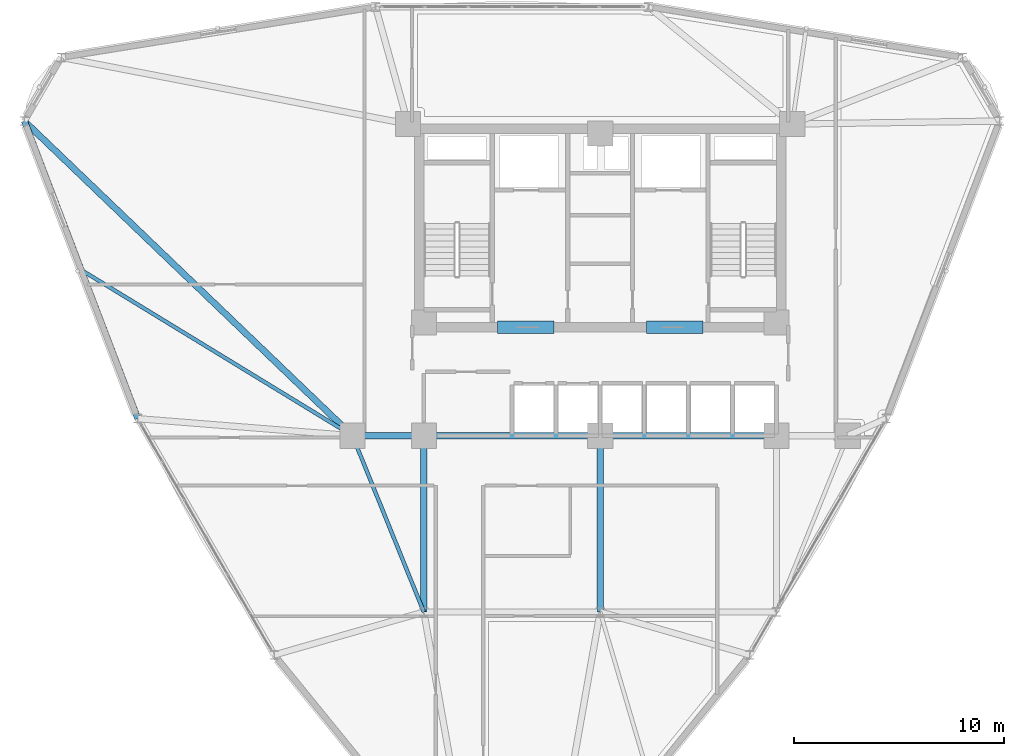
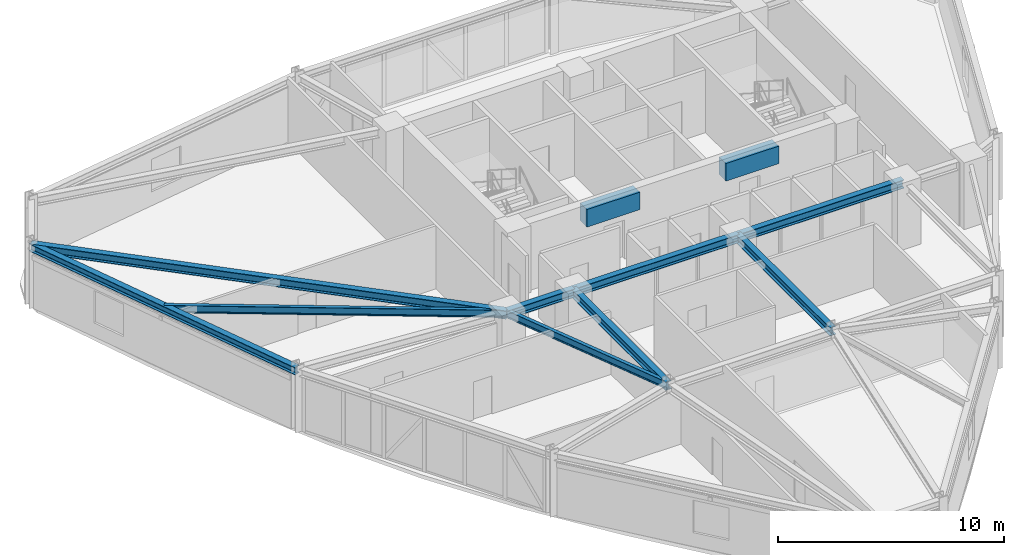
# One storey, part 5 of 15: 11 beams.
"""IFC4 building model written with IfcOpenShell, lengths in metres."""

from ifc_helpers import new_model, si_unit, derived_unit, direction, frame, origin, origin_2d, place, context, subcontext, project, spatial, rectangle, i_section, extrude, source, transform, mapped, material, material_profile, profile_set, type_object, element, save


model = new_model("IFC4")

# Units and contexts
model_context = context("Model", 3, precision=1e-05, world=origin(), true_north=direction((0.0, 1.0)))
body_context = subcontext(model_context, "Body", "Model", "MODEL_VIEW")
ifc_project = project(units=[si_unit("LENGTHUNIT", "METRE"), si_unit("AREAUNIT", "SQUARE_METRE"), si_unit("VOLUMEUNIT", "CUBIC_METRE"), si_unit("PLANEANGLEUNIT", "RADIAN"), si_unit("MASSUNIT", "GRAM", prefix="KILO"), derived_unit("THERMALTRANSMITTANCEUNIT", [(si_unit("POWERUNIT", "WATT"), 1), (si_unit("LENGTHUNIT", "METRE"), -2), (si_unit("THERMODYNAMICTEMPERATUREUNIT", "KELVIN"), -1)])], contexts=[model_context])

# Site, building, storey
site_placement = place(None, origin())
site = spatial("IfcSite", under=ifc_project, at=site_placement, CompositionType="ELEMENT")
building_placement = place(site_placement, origin())
building = spatial("IfcBuilding", under=site, at=building_placement, Name="Korsvarv Bourse and Concert Hall", CompositionType="ELEMENT")
storey_placement = place(building_placement, frame((0.0, 0.0, 147.0)))
storey = spatial("IfcBuildingStorey", under=building, at=storey_placement, Name="L37", CompositionType="ELEMENT", Elevation=147.0)

# Beams
ifc_material_1 = material(Name="Concrete C55/67", Category="concrete")
ifc_material_profile_1 = material_profile(ifc_material_1, rectangle(XDim=0.60009765625, YDim=0.949951171875, at=origin_2d()), Name="RC-BM 600x950")
ifc_profile_set_1 = profile_set([ifc_material_profile_1], Name="Concrete C55/67")
beam_type_1 = type_object("IfcBeamType", Name="BM-CPL", PredefinedType="LINTEL", material=ifc_profile_set_1)
shared_shape_1 = source(origin(), body_context, "Body", "SweptSolid", [
    extrude(rectangle(XDim=0.60009765625, YDim=0.949951171875, at=origin_2d()), origin(), (0.0, 0.0, 1.0), 2.699951171875),
])
for number, where, z_axis, x_axis, name in (
    (1, (31.10009765625, 37.574951171875, 2.925048828125), (1.0, 0.0, 0.0), (0.0, 1.0, 0.0), "L37 Core Coupling Beam West"),
    (2, (38.199951171875, 37.574951171875, 2.925048828125), (1.0, 0.0, 0.0), (0.0, 1.0, 0.0), "L37 Core Coupling Beam East"),
):
    element("IfcBeam", number, at=place(storey_placement, frame(where, z_axis=z_axis, x_axis=x_axis)), inside=storey, type_object=beam_type_1, Name=name, PredefinedType="LINTEL", context=body_context, shape_type="MappedRepresentation", body=[
        mapped(shared_shape_1, transform((0.0, 0.0, 0.0), scale=1.0)),
    ])
ifc_material_2 = material(Name="Steel S355", Category="steel")
ifc_material_profile_2 = material_profile(ifc_material_2, i_section(OverallWidth=0.179931640625, OverallDepth=0.39990234375, WebThickness=0.008544921875, FlangeThickness=0.013427734375, FilletRadius=0.02099609375, at=origin_2d()), Name="IPE 400")
ifc_profile_set_2 = profile_set([ifc_material_profile_2], Name="Steel S355")
beam_type_2 = type_object("IfcBeamType", Name="BM-IPE400", PredefinedType="JOIST", material=ifc_profile_set_2)
shared_shape_2 = source(origin(), body_context, "Body", "SweptSolid", [
    extrude(i_section(OverallWidth=0.179931640625, OverallDepth=0.39990234375, WebThickness=0.008544921875, FlangeThickness=0.013427734375, FilletRadius=0.02099609375, at=origin_2d()), origin(), (0.0, 0.0, 1.0), 9.06201171875),
])
beam_1_placement = place(storey_placement, frame((24.199951171875, 32.39990234375, 3.199951171875), z_axis=(0.375210394783, -0.926939674222, 0.0), x_axis=(0.926939674222, 0.375210394783, 0.0)))
element("IfcBeam", 3, at=beam_1_placement, inside=storey, type_object=beam_type_2, Name="L37 beam J-05", PredefinedType="JOIST", context=body_context, shape_type="MappedRepresentation", body=[
    mapped(shared_shape_2, transform((0.0, 0.0, 0.0), scale=1.0)),
])
ifc_material_profile_3 = material_profile(ifc_material_2, i_section(OverallWidth=0.300048828125, OverallDepth=0.449951171875, WebThickness=0.013916015625, FlangeThickness=0.02587890625, FilletRadius=0.02099609375, at=origin_2d()), Name="HEB 450")
ifc_profile_set_3 = profile_set([ifc_material_profile_3], Name="Steel S355")
beam_type_3 = type_object("IfcBeamType", Name="BM-HEB450", PredefinedType="SPANDREL", material=ifc_profile_set_3)
shared_shape_3 = source(origin(), body_context, "Body", "SweptSolid", [
    extrude(i_section(OverallWidth=0.300048828125, OverallDepth=0.449951171875, WebThickness=0.013916015625, FlangeThickness=0.02587890625, FilletRadius=0.02099609375, at=origin_2d()), origin(), (0.0, 0.0, 1.0), 3.400146484375),
])
beam_2_placement = place(storey_placement, frame((24.199951171875, 32.39990234375, 3.175048828125), z_axis=(1.0, 0.0, 0.0), x_axis=(0.0, 1.0, 0.0)))
element("IfcBeam", 4, at=beam_2_placement, inside=storey, type_object=beam_type_3, Name="L37 beam B-08", PredefinedType="SPANDREL", context=body_context, shape_type="MappedRepresentation", body=[
    mapped(shared_shape_3, transform((0.0, 0.0, 0.0), scale=1.0)),
])
shared_shape_4 = source(origin(), body_context, "Body", "SweptSolid", [
    extrude(i_section(OverallWidth=0.300048828125, OverallDepth=0.449951171875, WebThickness=0.013916015625, FlangeThickness=0.02587890625, FilletRadius=0.02099609375, at=origin_2d()), origin(), (0.0, 0.0, 1.0), 8.39990234375),
])
for number, where, z_axis, x_axis, name in (
    (5, (27.60009765625, 32.39990234375, 3.175048828125), (1.0, 0.0, 0.0), (0.0, 1.0, 0.0), "L37 beam B-08"),
    (6, (36.0, 32.39990234375, 3.175048828125), (1.0, 0.0, 0.0), (0.0, 1.0, 0.0), "L37 beam B-08"),
    (7, (27.60009765625, 24.0, 3.175048828125), (0.0, 1.0, 0.0), (-1.0, 0.0, 0.0), "L37 beam B-08"),
    (8, (36.0, 24.0, 3.175048828125), (0.0, 1.0, 0.0), (-1.0, 0.0, 0.0), "L37 beam B-08"),
):
    element("IfcBeam", number, at=place(storey_placement, frame(where, z_axis=z_axis, x_axis=x_axis)), inside=storey, type_object=beam_type_3, Name=name, PredefinedType="SPANDREL", context=body_context, shape_type="MappedRepresentation", body=[
        mapped(shared_shape_4, transform((0.0, 0.0, 0.0), scale=1.0)),
    ])
ifc_material_profile_4 = material_profile(ifc_material_2, i_section(OverallWidth=0.300048828125, OverallDepth=0.39990234375, WebThickness=0.013427734375, FlangeThickness=0.02392578125, FilletRadius=0.02099609375, at=origin_2d()), Name="HEB 400")
ifc_profile_set_4 = profile_set([ifc_material_profile_4], Name="Steel S355")
beam_type_4 = type_object("IfcBeamType", Name="BM-HEB400", PredefinedType="SPANDREL", material=ifc_profile_set_4)
shared_shape_5 = source(origin(), body_context, "Body", "SweptSolid", [
    extrude(i_section(OverallWidth=0.300048828125, OverallDepth=0.39990234375, WebThickness=0.013427734375, FlangeThickness=0.02392578125, FilletRadius=0.02099609375, at=origin_2d()), origin(), (0.0, 0.0, 1.0), 15.173095703125),
])
beam_3_placement = place(storey_placement, frame((8.56591796875, 47.39013671875, 3.199951171875), z_axis=(0.356082310226, -0.934454594052, 0.0), x_axis=(0.934454594052, 0.356082310226, 0.0)))
element("IfcBeam", 9, at=beam_3_placement, inside=storey, type_object=beam_type_4, Name="L37 beam B-09", PredefinedType="SPANDREL", context=body_context, shape_type="MappedRepresentation", body=[
    mapped(shared_shape_5, transform((0.0, 0.0, 0.0), scale=1.0)),
])
shared_shape_6 = source(origin(), body_context, "Body", "SweptSolid", [
    extrude(i_section(OverallWidth=0.300048828125, OverallDepth=0.449951171875, WebThickness=0.013916015625, FlangeThickness=0.02587890625, FilletRadius=0.02099609375, at=origin_2d()), origin(), (0.0, 0.0, 1.0), 21.659423828125),
])
beam_4_placement = place(storey_placement, frame((8.56591796875, 47.39013671875, 3.175048828125), z_axis=(0.72181245391, -0.692088709185, 0.0), x_axis=(0.692088709185, 0.72181245391, 0.0)))
element("IfcBeam", 10, at=beam_4_placement, inside=storey, type_object=beam_type_3, Name="L37 beam B-08", PredefinedType="SPANDREL", context=body_context, shape_type="MappedRepresentation", body=[
    mapped(shared_shape_6, transform((0.0, 0.0, 0.0), scale=1.0)),
])
shared_shape_7 = source(origin(), body_context, "Body", "SweptSolid", [
    extrude(i_section(OverallWidth=0.179931640625, OverallDepth=0.39990234375, WebThickness=0.008544921875, FlangeThickness=0.013427734375, FilletRadius=0.02099609375, at=origin_2d()), origin(), (0.0, 0.0, 1.0), 15.155029296875),
])
beam_5_placement = place(storey_placement, frame((11.267333984375, 40.30078125, 3.199951171875), z_axis=(0.853351911277, -0.521335319655, 0.0), x_axis=(0.521335319655, 0.853351911277, 0.0)))
element("IfcBeam", 11, at=beam_5_placement, inside=storey, type_object=beam_type_2, Name="L37 beam J-05", PredefinedType="JOIST", context=body_context, shape_type="MappedRepresentation", body=[
    mapped(shared_shape_7, transform((0.0, 0.0, 0.0), scale=1.0)),
])

save(model, "model.ifc")
